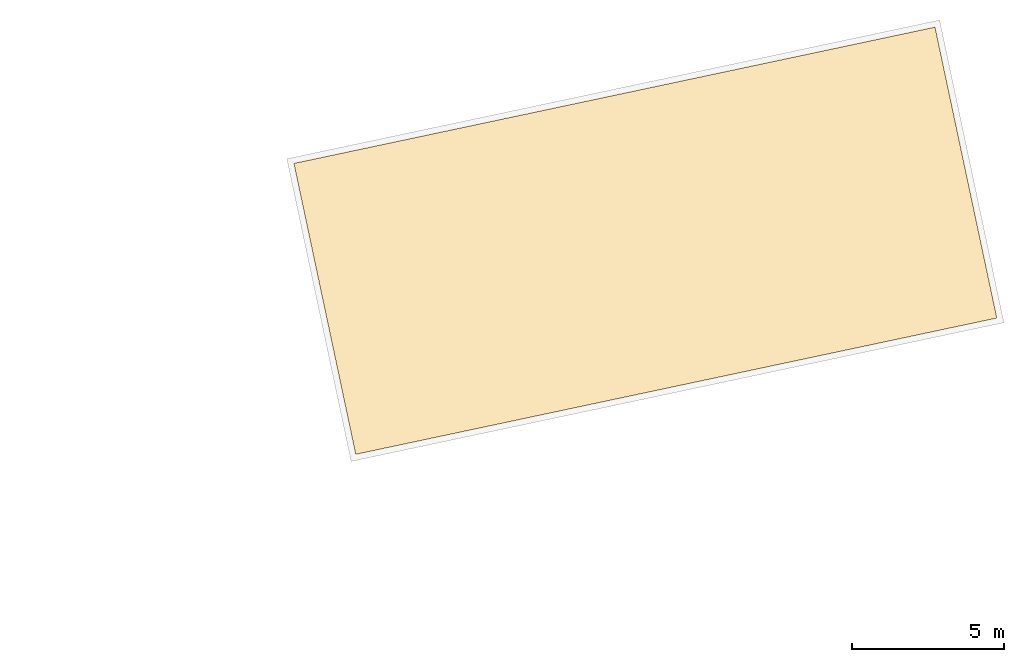
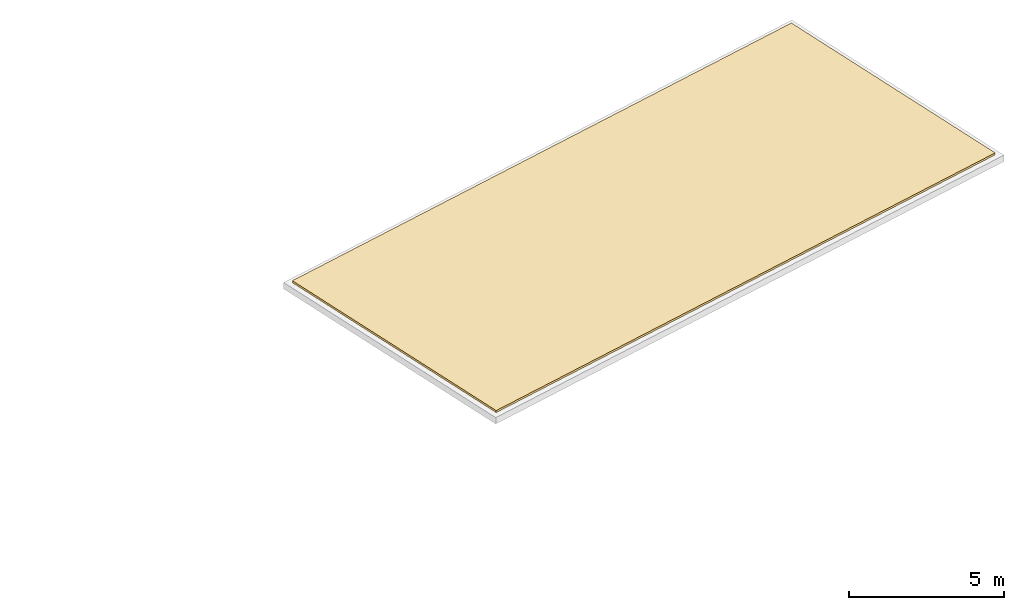
# One storey, part 9 of 9: 1 covering.
"""IFC4 building model written with IfcOpenShell, lengths in metres."""

from ifc_helpers import new_model, si_unit, direction, frame, origin, place, context, subcontext, project, spatial, polyline, outline, extrude, material, layer, layer_set, type_object, element, save


model = new_model("IFC4")

# Units and contexts
model_context = context("Model", 3, precision=1e-05, world=origin(), true_north=direction((0.0, 1.0)))
body_context = subcontext(model_context, "Body", "Model", "MODEL_VIEW")
ifc_project = project(units=[si_unit("LENGTHUNIT", "METRE"), si_unit("AREAUNIT", "SQUARE_METRE"), si_unit("VOLUMEUNIT", "CUBIC_METRE"), si_unit("PLANEANGLEUNIT", "RADIAN"), si_unit("MASSUNIT", "GRAM", prefix="KILO")], contexts=[model_context])

# Site, building, storey
site_placement = place(None, origin())
site = spatial("IfcSite", under=ifc_project, at=site_placement, CompositionType="ELEMENT")
building_placement = place(site_placement, origin())
building = spatial("IfcBuilding", under=site, at=building_placement, Name="Haevon Station Towers", CompositionType="ELEMENT")
storey_placement = place(building_placement, frame((0.0, 0.0, 239.39990234375)))
storey = spatial("IfcBuildingStorey", under=building, at=storey_placement, Name="L66", CompositionType="ELEMENT", Elevation=239.39990234375)

# Covering
ifc_material = material(Name="SBS modified bitumen roofing", Category="concrete")
ifc_layer = layer(ifc_material, 0.080078125)
ifc_layer_set = layer_set([ifc_layer], Name="SBS modified bitumen roofing")
covering_type = type_object("IfcCoveringType", Name="COV-ROOF80", PredefinedType="ROOFING", material=ifc_layer_set)
covering_placement = place(storey_placement, origin())
element("IfcCovering", 1, at=covering_placement, inside=storey, type_object=covering_type, Name="Roof Waterproofing Membrane 06", PredefinedType="ROOFING", context=body_context, shape_type="SweptSolid", body=[
    extrude(outline(polyline([(98.50048828125, 37.184326171875), (119.62841796875, 41.67529296875), (117.591064453125, 51.26123046875), (96.462890625, 46.770263671875), (98.50048828125, 37.184326171875)])), origin(), (0.0, 0.0, 1.0), 0.080078125),
])

save(model, "model.ifc")
